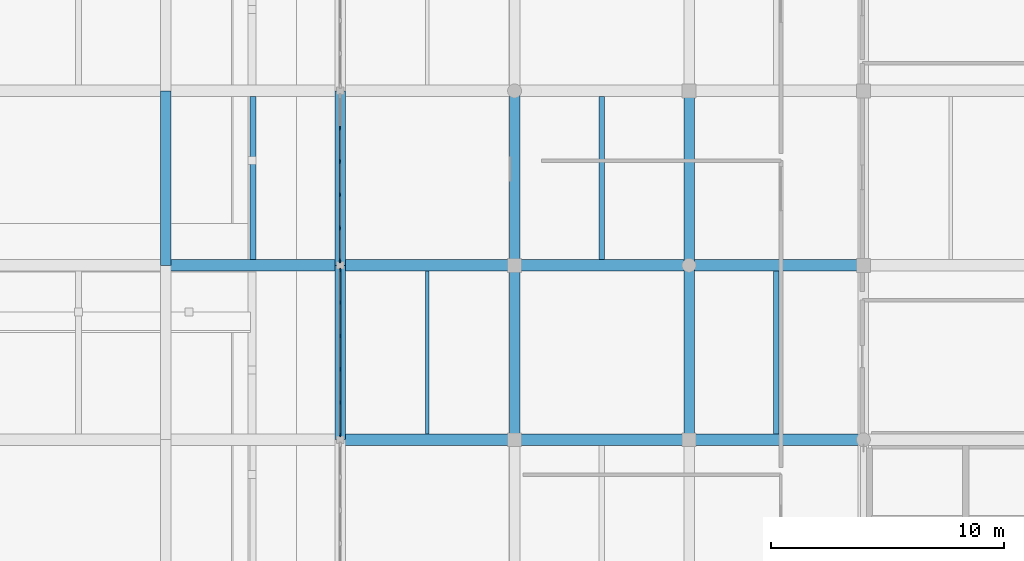
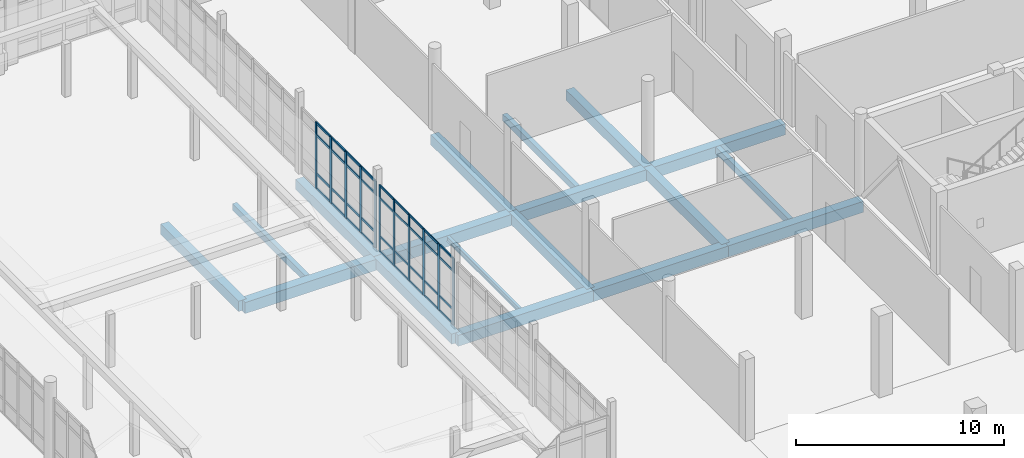
# One storey, part 59 of 125: 47 members, 18 beams, 2 elements without a shape of their own.
"""IFC4 building model written with IfcOpenShell, lengths in metres."""

from ifc_helpers import new_model, si_unit, direction, frame, origin, origin_2d, place, context, subcontext, project, spatial, rectangle, i_section, extrude, material, layer, layer_set, material_profile, profile_set, type_object, element, aggregate, save


model = new_model("IFC4")

# Units and contexts
model_context = context("Model", 3, precision=1e-05, world=origin(), true_north=direction((0.0, 1.0)))
body_context = subcontext(model_context, "Body", "Model", "MODEL_VIEW")
ifc_project = project(units=[si_unit("LENGTHUNIT", "METRE"), si_unit("AREAUNIT", "SQUARE_METRE"), si_unit("VOLUMEUNIT", "CUBIC_METRE"), si_unit("PLANEANGLEUNIT", "RADIAN"), si_unit("MASSUNIT", "GRAM", prefix="KILO")], contexts=[model_context])

# Site, building, storey
site_placement = place(None, origin())
site = spatial("IfcSite", under=ifc_project, at=site_placement, CompositionType="ELEMENT")
building_placement = place(site_placement, origin())
building = spatial("IfcBuilding", under=site, at=building_placement, Name="Dalvernix Boulevard General Hospital", CompositionType="ELEMENT")
storey_placement = place(building_placement, origin())
storey = spatial("IfcBuildingStorey", under=building, at=storey_placement, Name="L00", CompositionType="ELEMENT", Elevation=0.0)

# Beams
ifc_material_1 = material(Name="Concrete C35/45", Category="concrete")
ifc_material_profile_1 = material_profile(ifc_material_1, rectangle(XDim=0.5, YDim=0.64990234375, at=origin_2d()), Name="RCB 500x650")
ifc_profile_set_1 = profile_set([ifc_material_profile_1], Name="Concrete C35/45")
beam_type_1 = type_object("IfcBeamType", Name="BM-B-02-I", PredefinedType="BEAM", material=ifc_profile_set_1)
for number, where, z_axis, x_axis, name in (
    (1, (135.0, 46.5, -0.68505859375), (1.0, 0.0, 0.0), (0.0, 1.0, 0.0), "L00 E-W girder G:19-20"),
    (2, (142.5, 46.5, -0.68505859375), (1.0, 0.0, 0.0), (0.0, 1.0, 0.0), "L00 E-W girder G:20-21"),
    (3, (150.0, 46.5, -0.68505859375), (1.0, 0.0, 0.0), (0.0, 1.0, 0.0), "L00 E-W girder G:21-22"),
    (4, (127.5, 54.0, -0.68505859375), (1.0, 0.0, 0.0), (0.0, 1.0, 0.0), "L00 E-W girder H:18-19"),
    (5, (135.0, 54.0, -0.68505859375), (1.0, 0.0, 0.0), (0.0, 1.0, 0.0), "L00 E-W girder H:19-20"),
    (6, (142.5, 54.0, -0.68505859375), (1.0, 0.0, 0.0), (0.0, 1.0, 0.0), "L00 E-W girder H:20-21"),
    (7, (150.0, 54.0, -0.68505859375), (1.0, 0.0, 0.0), (0.0, 1.0, 0.0), "L00 E-W girder H:21-22"),
):
    element("IfcBeam", number, at=place(storey_placement, frame(where, z_axis=z_axis, x_axis=x_axis)), inside=storey, type_object=beam_type_1, Name=name, PredefinedType="BEAM", context=body_context, shape_type="SweptSolid", body=[
        extrude(rectangle(XDim=0.5, YDim=0.64990234375, at=origin_2d()), origin(), (0.0, 0.0, 1.0), 7.5),
    ])
ifc_material_profile_2 = material_profile(ifc_material_1, rectangle(XDim=0.449951171875, YDim=0.60009765625, at=origin_2d()), Name="RCB 450x600")
ifc_profile_set_2 = profile_set([ifc_material_profile_2], Name="Concrete C35/45")
beam_type_2 = type_object("IfcBeamType", Name="BM-B-04-I", PredefinedType="BEAM", material=ifc_profile_set_2)
for number, where, z_axis, x_axis, name in (
    (8, (127.5, 54.0, -0.659912109375), (0.0, 1.0, 0.0), (-1.0, 0.0, 0.0), "L00 N-S girder 18:H-J"),
    (9, (135.0, 46.5, -0.659912109375), (0.0, 1.0, 0.0), (-1.0, 0.0, 0.0), "L00 N-S girder 19:G-H"),
    (10, (135.0, 54.0, -0.659912109375), (0.0, 1.0, 0.0), (-1.0, 0.0, 0.0), "L00 N-S girder 19:H-J"),
    (11, (142.5, 46.5, -0.659912109375), (0.0, 1.0, 0.0), (-1.0, 0.0, 0.0), "L00 N-S girder 20:G-H"),
    (12, (142.5, 54.0, -0.659912109375), (0.0, 1.0, 0.0), (-1.0, 0.0, 0.0), "L00 N-S girder 20:H-J"),
    (13, (150.0, 46.5, -0.659912109375), (0.0, 1.0, 0.0), (-1.0, 0.0, 0.0), "L00 N-S girder 21:G-H"),
    (14, (150.0, 54.0, -0.659912109375), (0.0, 1.0, 0.0), (-1.0, 0.0, 0.0), "L00 N-S girder 21:H-J"),
):
    element("IfcBeam", number, at=place(storey_placement, frame(where, z_axis=z_axis, x_axis=x_axis)), inside=storey, type_object=beam_type_2, Name=name, PredefinedType="BEAM", context=body_context, shape_type="SweptSolid", body=[
        extrude(rectangle(XDim=0.449951171875, YDim=0.60009765625, at=origin_2d()), origin(), (0.0, 0.0, 1.0), 7.5),
    ])
ifc_material_profile_3 = material_profile(ifc_material_1, rectangle(XDim=0.25, YDim=0.39990234375, at=origin_2d()), Name="RCB 250x400")
ifc_profile_set_3 = profile_set([ifc_material_profile_3], Name="Concrete C35/45")
beam_type_3 = type_object("IfcBeamType", Name="BM-JB-02", PredefinedType="JOIST", material=ifc_profile_set_3)
for number, where, z_axis, x_axis, name in (
    (15, (131.25, 54.25, -0.56005859375), (0.0, 1.0, 0.0), (-1.0, 0.0, 0.0), "L00 secondary floor beam 18-H"),
    (16, (146.25, 54.25, -0.56005859375), (0.0, 1.0, 0.0), (-1.0, 0.0, 0.0), "L00 secondary floor beam 20-H"),
    (17, (153.75, 46.75, -0.56005859375), (0.0, 1.0, 0.0), (-1.0, 0.0, 0.0), "L00 secondary floor beam 21-G"),
):
    element("IfcBeam", number, at=place(storey_placement, frame(where, z_axis=z_axis, x_axis=x_axis)), inside=storey, type_object=beam_type_3, Name=name, PredefinedType="JOIST", context=body_context, shape_type="SweptSolid", body=[
        extrude(rectangle(XDim=0.25, YDim=0.39990234375, at=origin_2d()), origin(), (0.0, 0.0, 1.0), 7.0),
    ])
ifc_material_2 = material(Name="Steel S355", Category="steel")
ifc_material_profile_4 = material_profile(ifc_material_2, i_section(OverallWidth=0.14990234375, OverallDepth=0.300048828125, WebThickness=0.007080078125, FlangeThickness=0.0107421875, FilletRadius=0.014892578125, at=origin_2d()), Name="IPE 300")
ifc_profile_set_4 = profile_set([ifc_material_profile_4], Name="Steel S355")
beam_type_4 = type_object("IfcBeamType", Name="BM-JB-03", PredefinedType="JOIST", material=ifc_profile_set_4)
beam_placement = place(storey_placement, frame((138.75, 46.75, -0.510009765625), z_axis=(0.0, 1.0, 0.0), x_axis=(-1.0, 0.0, 0.0)))
element("IfcBeam", 18, at=beam_placement, inside=storey, type_object=beam_type_4, Name="L00 secondary floor beam 19-G", PredefinedType="JOIST", context=body_context, shape_type="SweptSolid", body=[
    extrude(i_section(OverallWidth=0.14990234375, OverallDepth=0.300048828125, WebThickness=0.007080078125, FlangeThickness=0.0107421875, FilletRadius=0.014892578125, at=origin_2d()), origin(), (0.0, 0.0, 1.0), 7.0),
])

# Curtain wall, members
ifc_material_3 = material(Name="Thermally broken aluminium and solar-control glass curtain wall", Category="aluminium")
ifc_layer_1 = layer(ifc_material_3, 0.159912109375)
ifc_layer_set_1 = layer_set([ifc_layer_1], Name="Thermally broken aluminium and solar-control glass curtain wall (CW-CW-A-72x39)")
curtain_wall_type_1 = type_object("IfcCurtainWallType", Name="CW-CW-A-72x39", PredefinedType="USERDEFINED", material=ifc_layer_set_1)
curtain_wall_1_placement = place(storey_placement, origin())
curtain_wall_1 = element("IfcCurtainWall", 19, at=curtain_wall_1_placement, inside=storey, type_object=curtain_wall_type_1, Name="L00 curtain wall CW-A-72x39 18-6", ObjectType="GLAZED FACADE", PredefinedType="USERDEFINED")
ifc_material_4 = material(Name="Aluminium EN AW-6060", Category="aluminium")
ifc_material_profile_5 = material_profile(ifc_material_4, rectangle(XDim=0.06005859375, YDim=0.159912109375, at=origin_2d()), Name="ALU MULL 60x160")
ifc_profile_set_5 = profile_set([ifc_material_profile_5], Name="Aluminium EN AW-6060")
member_type_1 = type_object("IfcMemberType", Name="MEM-CW-M1", PredefinedType="MULLION", material=ifc_profile_set_5)
member_1_placement = place(storey_placement, frame((135.0, 46.699951171875, 0.0), z_axis=(0.0, 0.0, 1.0), x_axis=(-1.0, 0.0, 0.0)))
member_1 = element("IfcMember", 20, at=member_1_placement, type_object=member_type_1, Name="CW-A-72x39 mullion 1", PredefinedType="MULLION", context=body_context, shape_type="SweptSolid", body=[
    extrude(rectangle(XDim=0.06005859375, YDim=0.159912109375, at=origin_2d()), origin(), (0.0, 0.0, 1.0), 3.89990234375),
])
member_2_placement = place(storey_placement, frame((135.0, 48.10205078125, 0.0), z_axis=(0.0, 0.0, 1.0), x_axis=(-1.0, 0.0, 0.0)))
member_2 = element("IfcMember", 21, at=member_2_placement, type_object=member_type_1, Name="CW-A-72x39 mullion 2", PredefinedType="MULLION", context=body_context, shape_type="SweptSolid", body=[
    extrude(rectangle(XDim=0.06005859375, YDim=0.159912109375, at=origin_2d()), origin(), (0.0, 0.0, 1.0), 3.89990234375),
])
member_3_placement = place(storey_placement, frame((135.0, 49.533935546875, 0.0), z_axis=(0.0, 0.0, 1.0), x_axis=(-1.0, 0.0, 0.0)))
member_3 = element("IfcMember", 22, at=member_3_placement, type_object=member_type_1, Name="CW-A-72x39 mullion 3", PredefinedType="MULLION", context=body_context, shape_type="SweptSolid", body=[
    extrude(rectangle(XDim=0.06005859375, YDim=0.159912109375, at=origin_2d()), origin(), (0.0, 0.0, 1.0), 3.89990234375),
])
member_4_placement = place(storey_placement, frame((135.0, 50.966064453125, 0.0), z_axis=(0.0, 0.0, 1.0), x_axis=(-1.0, 0.0, 0.0)))
member_4 = element("IfcMember", 23, at=member_4_placement, type_object=member_type_1, Name="CW-A-72x39 mullion 4", PredefinedType="MULLION", context=body_context, shape_type="SweptSolid", body=[
    extrude(rectangle(XDim=0.06005859375, YDim=0.159912109375, at=origin_2d()), origin(), (0.0, 0.0, 1.0), 3.89990234375),
])
member_5_placement = place(storey_placement, frame((135.0, 52.39794921875, 0.0), z_axis=(0.0, 0.0, 1.0), x_axis=(-1.0, 0.0, 0.0)))
member_5 = element("IfcMember", 24, at=member_5_placement, type_object=member_type_1, Name="CW-A-72x39 mullion 5", PredefinedType="MULLION", context=body_context, shape_type="SweptSolid", body=[
    extrude(rectangle(XDim=0.06005859375, YDim=0.159912109375, at=origin_2d()), origin(), (0.0, 0.0, 1.0), 3.89990234375),
])
member_6_placement = place(storey_placement, frame((135.0, 53.800048828125, 0.0), z_axis=(0.0, 0.0, 1.0), x_axis=(-1.0, 0.0, 0.0)))
member_6 = element("IfcMember", 25, at=member_6_placement, type_object=member_type_1, Name="CW-A-72x39 mullion 6", PredefinedType="MULLION", context=body_context, shape_type="SweptSolid", body=[
    extrude(rectangle(XDim=0.06005859375, YDim=0.159912109375, at=origin_2d()), origin(), (0.0, 0.0, 1.0), 3.89990234375),
])

ifc_layer_2 = layer(ifc_material_3, 0.179931640625)
ifc_layer_set_2 = layer_set([ifc_layer_2], Name="Thermally broken aluminium and solar-control glass curtain wall (CW-CW-B-72x39)")
curtain_wall_type_2 = type_object("IfcCurtainWallType", Name="CW-CW-B-72x39", PredefinedType="USERDEFINED", material=ifc_layer_set_2)
curtain_wall_2_placement = place(storey_placement, origin())
curtain_wall_2 = element("IfcCurtainWall", 26, at=curtain_wall_2_placement, inside=storey, type_object=curtain_wall_type_2, Name="L00 curtain wall CW-B-72x39 18-7", ObjectType="GLAZED FACADE", PredefinedType="USERDEFINED")
ifc_material_profile_6 = material_profile(ifc_material_4, rectangle(XDim=0.06494140625, YDim=0.179931640625, at=origin_2d()), Name="ALU MULL 65x180")
ifc_profile_set_6 = profile_set([ifc_material_profile_6], Name="Aluminium EN AW-6060")
member_type_2 = type_object("IfcMemberType", Name="MEM-CW-M2", PredefinedType="MULLION", material=ifc_profile_set_6)
member_7_placement = place(storey_placement, frame((135.0, 54.202392578125, 0.0), z_axis=(0.0, 0.0, 1.0), x_axis=(-1.0, 0.0, 0.0)))
member_7 = element("IfcMember", 27, at=member_7_placement, type_object=member_type_2, Name="CW-B-72x39 mullion 1", PredefinedType="MULLION", context=body_context, shape_type="SweptSolid", body=[
    extrude(rectangle(XDim=0.06494140625, YDim=0.179931640625, at=origin_2d()), origin(), (0.0, 0.0, 1.0), 3.89990234375),
])
member_8_placement = place(storey_placement, frame((135.0, 55.60205078125, 0.0), z_axis=(0.0, 0.0, 1.0), x_axis=(-1.0, 0.0, 0.0)))
member_8 = element("IfcMember", 28, at=member_8_placement, type_object=member_type_2, Name="CW-B-72x39 mullion 2", PredefinedType="MULLION", context=body_context, shape_type="SweptSolid", body=[
    extrude(rectangle(XDim=0.06494140625, YDim=0.179931640625, at=origin_2d()), origin(), (0.0, 0.0, 1.0), 3.89990234375),
])
member_9_placement = place(storey_placement, frame((135.0, 57.033935546875, 0.0), z_axis=(0.0, 0.0, 1.0), x_axis=(-1.0, 0.0, 0.0)))
member_9 = element("IfcMember", 29, at=member_9_placement, type_object=member_type_2, Name="CW-B-72x39 mullion 3", PredefinedType="MULLION", context=body_context, shape_type="SweptSolid", body=[
    extrude(rectangle(XDim=0.06494140625, YDim=0.179931640625, at=origin_2d()), origin(), (0.0, 0.0, 1.0), 3.89990234375),
])
member_10_placement = place(storey_placement, frame((135.0, 58.466064453125, 0.0), z_axis=(0.0, 0.0, 1.0), x_axis=(-1.0, 0.0, 0.0)))
member_10 = element("IfcMember", 30, at=member_10_placement, type_object=member_type_2, Name="CW-B-72x39 mullion 4", PredefinedType="MULLION", context=body_context, shape_type="SweptSolid", body=[
    extrude(rectangle(XDim=0.06494140625, YDim=0.179931640625, at=origin_2d()), origin(), (0.0, 0.0, 1.0), 3.89990234375),
])
member_11_placement = place(storey_placement, frame((135.0, 59.89794921875, 0.0), z_axis=(0.0, 0.0, 1.0), x_axis=(-1.0, 0.0, 0.0)))
member_11 = element("IfcMember", 31, at=member_11_placement, type_object=member_type_2, Name="CW-B-72x39 mullion 5", PredefinedType="MULLION", context=body_context, shape_type="SweptSolid", body=[
    extrude(rectangle(XDim=0.06494140625, YDim=0.179931640625, at=origin_2d()), origin(), (0.0, 0.0, 1.0), 3.89990234375),
])

# Member
ifc_material_profile_7 = material_profile(ifc_material_4, rectangle(XDim=0.06005859375, YDim=0.1201171875, at=origin_2d()), Name="ALU TRAN 60x120")
ifc_profile_set_7 = profile_set([ifc_material_profile_7], Name="Aluminium EN AW-6060")
member_type_3 = type_object("IfcMemberType", Name="MEM-CW-T1", PredefinedType="USERDEFINED", material=ifc_profile_set_7)
member_12_placement = place(storey_placement, frame((135.0, 46.72998046875, 0.030029296875), z_axis=(0.0, 1.0, 0.0), x_axis=(-1.0, 0.0, 0.0)))
member_12 = element("IfcMember", 32, at=member_12_placement, type_object=member_type_3, Name="CW-A-72x39 transom 1.1", ObjectType="TRANSOM", PredefinedType="USERDEFINED", context=body_context, shape_type="SweptSolid", body=[
    extrude(rectangle(XDim=0.06005859375, YDim=0.1201171875, at=origin_2d()), origin(), (0.0, 0.0, 1.0), 1.342041015625),
])

member_13_placement = place(storey_placement, frame((135.0, 46.72998046875, 0.89990234375), z_axis=(0.0, 1.0, 0.0), x_axis=(-1.0, 0.0, 0.0)))
member_13 = element("IfcMember", 33, at=member_13_placement, type_object=member_type_3, Name="CW-A-72x39 transom 1.2", ObjectType="TRANSOM", PredefinedType="USERDEFINED", context=body_context, shape_type="SweptSolid", body=[
    extrude(rectangle(XDim=0.06005859375, YDim=0.1201171875, at=origin_2d()), origin(), (0.0, 0.0, 1.0), 1.342041015625),
])

member_14_placement = place(storey_placement, frame((135.0, 46.72998046875, 3.14990234375), z_axis=(0.0, 1.0, 0.0), x_axis=(-1.0, 0.0, 0.0)))
member_14 = element("IfcMember", 34, at=member_14_placement, type_object=member_type_3, Name="CW-A-72x39 transom 1.3", ObjectType="TRANSOM", PredefinedType="USERDEFINED", context=body_context, shape_type="SweptSolid", body=[
    extrude(rectangle(XDim=0.06005859375, YDim=0.1201171875, at=origin_2d()), origin(), (0.0, 0.0, 1.0), 1.342041015625),
])

member_15_placement = place(storey_placement, frame((135.0, 46.72998046875, 3.8701171875), z_axis=(0.0, 1.0, 0.0), x_axis=(-1.0, 0.0, 0.0)))
member_15 = element("IfcMember", 35, at=member_15_placement, type_object=member_type_3, Name="CW-A-72x39 transom 1.4", ObjectType="TRANSOM", PredefinedType="USERDEFINED", context=body_context, shape_type="SweptSolid", body=[
    extrude(rectangle(XDim=0.06005859375, YDim=0.1201171875, at=origin_2d()), origin(), (0.0, 0.0, 1.0), 1.342041015625),
])

member_16_placement = place(storey_placement, frame((135.0, 48.132080078125, 0.030029296875), z_axis=(0.0, 1.0, 0.0), x_axis=(-1.0, 0.0, 0.0)))
member_16 = element("IfcMember", 36, at=member_16_placement, type_object=member_type_3, Name="CW-A-72x39 transom 2.1", ObjectType="TRANSOM", PredefinedType="USERDEFINED", context=body_context, shape_type="SweptSolid", body=[
    extrude(rectangle(XDim=0.06005859375, YDim=0.1201171875, at=origin_2d()), origin(), (0.0, 0.0, 1.0), 1.371826171875),
])

member_17_placement = place(storey_placement, frame((135.0, 48.132080078125, 0.89990234375), z_axis=(0.0, 1.0, 0.0), x_axis=(-1.0, 0.0, 0.0)))
member_17 = element("IfcMember", 37, at=member_17_placement, type_object=member_type_3, Name="CW-A-72x39 transom 2.2", ObjectType="TRANSOM", PredefinedType="USERDEFINED", context=body_context, shape_type="SweptSolid", body=[
    extrude(rectangle(XDim=0.06005859375, YDim=0.1201171875, at=origin_2d()), origin(), (0.0, 0.0, 1.0), 1.371826171875),
])

member_18_placement = place(storey_placement, frame((135.0, 48.132080078125, 3.14990234375), z_axis=(0.0, 1.0, 0.0), x_axis=(-1.0, 0.0, 0.0)))
member_18 = element("IfcMember", 38, at=member_18_placement, type_object=member_type_3, Name="CW-A-72x39 transom 2.3", ObjectType="TRANSOM", PredefinedType="USERDEFINED", context=body_context, shape_type="SweptSolid", body=[
    extrude(rectangle(XDim=0.06005859375, YDim=0.1201171875, at=origin_2d()), origin(), (0.0, 0.0, 1.0), 1.371826171875),
])

member_19_placement = place(storey_placement, frame((135.0, 48.132080078125, 3.8701171875), z_axis=(0.0, 1.0, 0.0), x_axis=(-1.0, 0.0, 0.0)))
member_19 = element("IfcMember", 39, at=member_19_placement, type_object=member_type_3, Name="CW-A-72x39 transom 2.4", ObjectType="TRANSOM", PredefinedType="USERDEFINED", context=body_context, shape_type="SweptSolid", body=[
    extrude(rectangle(XDim=0.06005859375, YDim=0.1201171875, at=origin_2d()), origin(), (0.0, 0.0, 1.0), 1.371826171875),
])

member_20_placement = place(storey_placement, frame((135.0, 49.56396484375, 0.030029296875), z_axis=(0.0, 1.0, 0.0), x_axis=(-1.0, 0.0, 0.0)))
member_20 = element("IfcMember", 40, at=member_20_placement, type_object=member_type_3, Name="CW-A-72x39 transom 3.1", ObjectType="TRANSOM", PredefinedType="USERDEFINED", context=body_context, shape_type="SweptSolid", body=[
    extrude(rectangle(XDim=0.06005859375, YDim=0.1201171875, at=origin_2d()), origin(), (0.0, 0.0, 1.0), 1.3720703125),
])

member_21_placement = place(storey_placement, frame((135.0, 49.56396484375, 0.89990234375), z_axis=(0.0, 1.0, 0.0), x_axis=(-1.0, 0.0, 0.0)))
member_21 = element("IfcMember", 41, at=member_21_placement, type_object=member_type_3, Name="CW-A-72x39 transom 3.2", ObjectType="TRANSOM", PredefinedType="USERDEFINED", context=body_context, shape_type="SweptSolid", body=[
    extrude(rectangle(XDim=0.06005859375, YDim=0.1201171875, at=origin_2d()), origin(), (0.0, 0.0, 1.0), 1.3720703125),
])

member_22_placement = place(storey_placement, frame((135.0, 49.56396484375, 3.14990234375), z_axis=(0.0, 1.0, 0.0), x_axis=(-1.0, 0.0, 0.0)))
member_22 = element("IfcMember", 42, at=member_22_placement, type_object=member_type_3, Name="CW-A-72x39 transom 3.3", ObjectType="TRANSOM", PredefinedType="USERDEFINED", context=body_context, shape_type="SweptSolid", body=[
    extrude(rectangle(XDim=0.06005859375, YDim=0.1201171875, at=origin_2d()), origin(), (0.0, 0.0, 1.0), 1.3720703125),
])

member_23_placement = place(storey_placement, frame((135.0, 49.56396484375, 3.8701171875), z_axis=(0.0, 1.0, 0.0), x_axis=(-1.0, 0.0, 0.0)))
member_23 = element("IfcMember", 43, at=member_23_placement, type_object=member_type_3, Name="CW-A-72x39 transom 3.4", ObjectType="TRANSOM", PredefinedType="USERDEFINED", context=body_context, shape_type="SweptSolid", body=[
    extrude(rectangle(XDim=0.06005859375, YDim=0.1201171875, at=origin_2d()), origin(), (0.0, 0.0, 1.0), 1.3720703125),
])

member_24_placement = place(storey_placement, frame((135.0, 50.99609375, 0.030029296875), z_axis=(0.0, 1.0, 0.0), x_axis=(-1.0, 0.0, 0.0)))
member_24 = element("IfcMember", 44, at=member_24_placement, type_object=member_type_3, Name="CW-A-72x39 transom 4.1", ObjectType="TRANSOM", PredefinedType="USERDEFINED", context=body_context, shape_type="SweptSolid", body=[
    extrude(rectangle(XDim=0.06005859375, YDim=0.1201171875, at=origin_2d()), origin(), (0.0, 0.0, 1.0), 1.371826171875),
])

member_25_placement = place(storey_placement, frame((135.0, 50.99609375, 0.89990234375), z_axis=(0.0, 1.0, 0.0), x_axis=(-1.0, 0.0, 0.0)))
member_25 = element("IfcMember", 45, at=member_25_placement, type_object=member_type_3, Name="CW-A-72x39 transom 4.2", ObjectType="TRANSOM", PredefinedType="USERDEFINED", context=body_context, shape_type="SweptSolid", body=[
    extrude(rectangle(XDim=0.06005859375, YDim=0.1201171875, at=origin_2d()), origin(), (0.0, 0.0, 1.0), 1.371826171875),
])

member_26_placement = place(storey_placement, frame((135.0, 50.99609375, 3.14990234375), z_axis=(0.0, 1.0, 0.0), x_axis=(-1.0, 0.0, 0.0)))
member_26 = element("IfcMember", 46, at=member_26_placement, type_object=member_type_3, Name="CW-A-72x39 transom 4.3", ObjectType="TRANSOM", PredefinedType="USERDEFINED", context=body_context, shape_type="SweptSolid", body=[
    extrude(rectangle(XDim=0.06005859375, YDim=0.1201171875, at=origin_2d()), origin(), (0.0, 0.0, 1.0), 1.371826171875),
])

member_27_placement = place(storey_placement, frame((135.0, 50.99609375, 3.8701171875), z_axis=(0.0, 1.0, 0.0), x_axis=(-1.0, 0.0, 0.0)))
member_27 = element("IfcMember", 47, at=member_27_placement, type_object=member_type_3, Name="CW-A-72x39 transom 4.4", ObjectType="TRANSOM", PredefinedType="USERDEFINED", context=body_context, shape_type="SweptSolid", body=[
    extrude(rectangle(XDim=0.06005859375, YDim=0.1201171875, at=origin_2d()), origin(), (0.0, 0.0, 1.0), 1.371826171875),
])

member_28_placement = place(storey_placement, frame((135.0, 52.427978515625, 0.030029296875), z_axis=(0.0, 1.0, 0.0), x_axis=(-1.0, 0.0, 0.0)))
member_28 = element("IfcMember", 48, at=member_28_placement, type_object=member_type_3, Name="CW-A-72x39 transom 5.1", ObjectType="TRANSOM", PredefinedType="USERDEFINED", context=body_context, shape_type="SweptSolid", body=[
    extrude(rectangle(XDim=0.06005859375, YDim=0.1201171875, at=origin_2d()), origin(), (0.0, 0.0, 1.0), 1.342041015625),
])

member_29_placement = place(storey_placement, frame((135.0, 52.427978515625, 0.89990234375), z_axis=(0.0, 1.0, 0.0), x_axis=(-1.0, 0.0, 0.0)))
member_29 = element("IfcMember", 49, at=member_29_placement, type_object=member_type_3, Name="CW-A-72x39 transom 5.2", ObjectType="TRANSOM", PredefinedType="USERDEFINED", context=body_context, shape_type="SweptSolid", body=[
    extrude(rectangle(XDim=0.06005859375, YDim=0.1201171875, at=origin_2d()), origin(), (0.0, 0.0, 1.0), 1.342041015625),
])

member_30_placement = place(storey_placement, frame((135.0, 52.427978515625, 3.14990234375), z_axis=(0.0, 1.0, 0.0), x_axis=(-1.0, 0.0, 0.0)))
member_30 = element("IfcMember", 50, at=member_30_placement, type_object=member_type_3, Name="CW-A-72x39 transom 5.3", ObjectType="TRANSOM", PredefinedType="USERDEFINED", context=body_context, shape_type="SweptSolid", body=[
    extrude(rectangle(XDim=0.06005859375, YDim=0.1201171875, at=origin_2d()), origin(), (0.0, 0.0, 1.0), 1.342041015625),
])

member_31_placement = place(storey_placement, frame((135.0, 52.427978515625, 3.8701171875), z_axis=(0.0, 1.0, 0.0), x_axis=(-1.0, 0.0, 0.0)))
member_31 = element("IfcMember", 51, at=member_31_placement, type_object=member_type_3, Name="CW-A-72x39 transom 5.4", ObjectType="TRANSOM", PredefinedType="USERDEFINED", context=body_context, shape_type="SweptSolid", body=[
    extrude(rectangle(XDim=0.06005859375, YDim=0.1201171875, at=origin_2d()), origin(), (0.0, 0.0, 1.0), 1.342041015625),
])

aggregate(curtain_wall_1, [member_1, member_2, member_3, member_4, member_5, member_6, member_12, member_13, member_14, member_15, member_16, member_17, member_18, member_19, member_20, member_21, member_22, member_23, member_24, member_25, member_26, member_27, member_28, member_29, member_30, member_31])

ifc_material_profile_8 = material_profile(ifc_material_4, rectangle(XDim=0.06494140625, YDim=0.139892578125, at=origin_2d()), Name="ALU TRAN 65x140")
ifc_profile_set_8 = profile_set([ifc_material_profile_8], Name="Aluminium EN AW-6060")
member_type_4 = type_object("IfcMemberType", Name="MEM-CW-T2", PredefinedType="USERDEFINED", material=ifc_profile_set_8)
member_32_placement = place(storey_placement, frame((135.0, 54.235107421875, 0.032470703125), z_axis=(0.0, 1.0, 0.0), x_axis=(-1.0, 0.0, 0.0)))
member_32 = element("IfcMember", 52, at=member_32_placement, type_object=member_type_4, Name="CW-B-72x39 transom 1.1", ObjectType="TRANSOM", PredefinedType="USERDEFINED", context=body_context, shape_type="SweptSolid", body=[
    extrude(rectangle(XDim=0.06494140625, YDim=0.139892578125, at=origin_2d()), origin(), (0.0, 0.0, 1.0), 1.33447265625),
])

member_33_placement = place(storey_placement, frame((135.0, 54.235107421875, 0.89990234375), z_axis=(0.0, 1.0, 0.0), x_axis=(-1.0, 0.0, 0.0)))
member_33 = element("IfcMember", 53, at=member_33_placement, type_object=member_type_4, Name="CW-B-72x39 transom 1.2", ObjectType="TRANSOM", PredefinedType="USERDEFINED", context=body_context, shape_type="SweptSolid", body=[
    extrude(rectangle(XDim=0.06494140625, YDim=0.139892578125, at=origin_2d()), origin(), (0.0, 0.0, 1.0), 1.33447265625),
])

member_34_placement = place(storey_placement, frame((135.0, 54.235107421875, 3.14990234375), z_axis=(0.0, 1.0, 0.0), x_axis=(-1.0, 0.0, 0.0)))
member_34 = element("IfcMember", 54, at=member_34_placement, type_object=member_type_4, Name="CW-B-72x39 transom 1.3", ObjectType="TRANSOM", PredefinedType="USERDEFINED", context=body_context, shape_type="SweptSolid", body=[
    extrude(rectangle(XDim=0.06494140625, YDim=0.139892578125, at=origin_2d()), origin(), (0.0, 0.0, 1.0), 1.33447265625),
])

member_35_placement = place(storey_placement, frame((135.0, 54.235107421875, 3.867431640625), z_axis=(0.0, 1.0, 0.0), x_axis=(-1.0, 0.0, 0.0)))
member_35 = element("IfcMember", 55, at=member_35_placement, type_object=member_type_4, Name="CW-B-72x39 transom 1.4", ObjectType="TRANSOM", PredefinedType="USERDEFINED", context=body_context, shape_type="SweptSolid", body=[
    extrude(rectangle(XDim=0.06494140625, YDim=0.139892578125, at=origin_2d()), origin(), (0.0, 0.0, 1.0), 1.33447265625),
])

member_36_placement = place(storey_placement, frame((135.0, 55.634521484375, 0.032470703125), z_axis=(0.0, 1.0, 0.0), x_axis=(-1.0, 0.0, 0.0)))
member_36 = element("IfcMember", 56, at=member_36_placement, type_object=member_type_4, Name="CW-B-72x39 transom 2.1", ObjectType="TRANSOM", PredefinedType="USERDEFINED", context=body_context, shape_type="SweptSolid", body=[
    extrude(rectangle(XDim=0.06494140625, YDim=0.139892578125, at=origin_2d()), origin(), (0.0, 0.0, 1.0), 1.366943359375),
])

member_37_placement = place(storey_placement, frame((135.0, 55.634521484375, 0.89990234375), z_axis=(0.0, 1.0, 0.0), x_axis=(-1.0, 0.0, 0.0)))
member_37 = element("IfcMember", 57, at=member_37_placement, type_object=member_type_4, Name="CW-B-72x39 transom 2.2", ObjectType="TRANSOM", PredefinedType="USERDEFINED", context=body_context, shape_type="SweptSolid", body=[
    extrude(rectangle(XDim=0.06494140625, YDim=0.139892578125, at=origin_2d()), origin(), (0.0, 0.0, 1.0), 1.366943359375),
])

member_38_placement = place(storey_placement, frame((135.0, 55.634521484375, 3.14990234375), z_axis=(0.0, 1.0, 0.0), x_axis=(-1.0, 0.0, 0.0)))
member_38 = element("IfcMember", 58, at=member_38_placement, type_object=member_type_4, Name="CW-B-72x39 transom 2.3", ObjectType="TRANSOM", PredefinedType="USERDEFINED", context=body_context, shape_type="SweptSolid", body=[
    extrude(rectangle(XDim=0.06494140625, YDim=0.139892578125, at=origin_2d()), origin(), (0.0, 0.0, 1.0), 1.366943359375),
])

member_39_placement = place(storey_placement, frame((135.0, 55.634521484375, 3.867431640625), z_axis=(0.0, 1.0, 0.0), x_axis=(-1.0, 0.0, 0.0)))
member_39 = element("IfcMember", 59, at=member_39_placement, type_object=member_type_4, Name="CW-B-72x39 transom 2.4", ObjectType="TRANSOM", PredefinedType="USERDEFINED", context=body_context, shape_type="SweptSolid", body=[
    extrude(rectangle(XDim=0.06494140625, YDim=0.139892578125, at=origin_2d()), origin(), (0.0, 0.0, 1.0), 1.366943359375),
])

member_40_placement = place(storey_placement, frame((135.0, 57.06640625, 0.032470703125), z_axis=(0.0, 1.0, 0.0), x_axis=(-1.0, 0.0, 0.0)))
member_40 = element("IfcMember", 60, at=member_40_placement, type_object=member_type_4, Name="CW-B-72x39 transom 3.1", ObjectType="TRANSOM", PredefinedType="USERDEFINED", context=body_context, shape_type="SweptSolid", body=[
    extrude(rectangle(XDim=0.06494140625, YDim=0.139892578125, at=origin_2d()), origin(), (0.0, 0.0, 1.0), 1.3671875),
])

member_41_placement = place(storey_placement, frame((135.0, 57.06640625, 0.89990234375), z_axis=(0.0, 1.0, 0.0), x_axis=(-1.0, 0.0, 0.0)))
member_41 = element("IfcMember", 61, at=member_41_placement, type_object=member_type_4, Name="CW-B-72x39 transom 3.2", ObjectType="TRANSOM", PredefinedType="USERDEFINED", context=body_context, shape_type="SweptSolid", body=[
    extrude(rectangle(XDim=0.06494140625, YDim=0.139892578125, at=origin_2d()), origin(), (0.0, 0.0, 1.0), 1.3671875),
])

member_42_placement = place(storey_placement, frame((135.0, 57.06640625, 3.14990234375), z_axis=(0.0, 1.0, 0.0), x_axis=(-1.0, 0.0, 0.0)))
member_42 = element("IfcMember", 62, at=member_42_placement, type_object=member_type_4, Name="CW-B-72x39 transom 3.3", ObjectType="TRANSOM", PredefinedType="USERDEFINED", context=body_context, shape_type="SweptSolid", body=[
    extrude(rectangle(XDim=0.06494140625, YDim=0.139892578125, at=origin_2d()), origin(), (0.0, 0.0, 1.0), 1.3671875),
])

member_43_placement = place(storey_placement, frame((135.0, 57.06640625, 3.867431640625), z_axis=(0.0, 1.0, 0.0), x_axis=(-1.0, 0.0, 0.0)))
member_43 = element("IfcMember", 63, at=member_43_placement, type_object=member_type_4, Name="CW-B-72x39 transom 3.4", ObjectType="TRANSOM", PredefinedType="USERDEFINED", context=body_context, shape_type="SweptSolid", body=[
    extrude(rectangle(XDim=0.06494140625, YDim=0.139892578125, at=origin_2d()), origin(), (0.0, 0.0, 1.0), 1.3671875),
])

member_44_placement = place(storey_placement, frame((135.0, 58.49853515625, 0.032470703125), z_axis=(0.0, 1.0, 0.0), x_axis=(-1.0, 0.0, 0.0)))
member_44 = element("IfcMember", 64, at=member_44_placement, type_object=member_type_4, Name="CW-B-72x39 transom 4.1", ObjectType="TRANSOM", PredefinedType="USERDEFINED", context=body_context, shape_type="SweptSolid", body=[
    extrude(rectangle(XDim=0.06494140625, YDim=0.139892578125, at=origin_2d()), origin(), (0.0, 0.0, 1.0), 1.366943359375),
])

member_45_placement = place(storey_placement, frame((135.0, 58.49853515625, 0.89990234375), z_axis=(0.0, 1.0, 0.0), x_axis=(-1.0, 0.0, 0.0)))
member_45 = element("IfcMember", 65, at=member_45_placement, type_object=member_type_4, Name="CW-B-72x39 transom 4.2", ObjectType="TRANSOM", PredefinedType="USERDEFINED", context=body_context, shape_type="SweptSolid", body=[
    extrude(rectangle(XDim=0.06494140625, YDim=0.139892578125, at=origin_2d()), origin(), (0.0, 0.0, 1.0), 1.366943359375),
])

member_46_placement = place(storey_placement, frame((135.0, 58.49853515625, 3.14990234375), z_axis=(0.0, 1.0, 0.0), x_axis=(-1.0, 0.0, 0.0)))
member_46 = element("IfcMember", 66, at=member_46_placement, type_object=member_type_4, Name="CW-B-72x39 transom 4.3", ObjectType="TRANSOM", PredefinedType="USERDEFINED", context=body_context, shape_type="SweptSolid", body=[
    extrude(rectangle(XDim=0.06494140625, YDim=0.139892578125, at=origin_2d()), origin(), (0.0, 0.0, 1.0), 1.366943359375),
])

member_47_placement = place(storey_placement, frame((135.0, 58.49853515625, 3.867431640625), z_axis=(0.0, 1.0, 0.0), x_axis=(-1.0, 0.0, 0.0)))
member_47 = element("IfcMember", 67, at=member_47_placement, type_object=member_type_4, Name="CW-B-72x39 transom 4.4", ObjectType="TRANSOM", PredefinedType="USERDEFINED", context=body_context, shape_type="SweptSolid", body=[
    extrude(rectangle(XDim=0.06494140625, YDim=0.139892578125, at=origin_2d()), origin(), (0.0, 0.0, 1.0), 1.366943359375),
])

aggregate(curtain_wall_2, [member_7, member_8, member_9, member_10, member_11, member_32, member_33, member_34, member_35, member_36, member_37, member_38, member_39, member_40, member_41, member_42, member_43, member_44, member_45, member_46, member_47])

save(model, "model.ifc")
